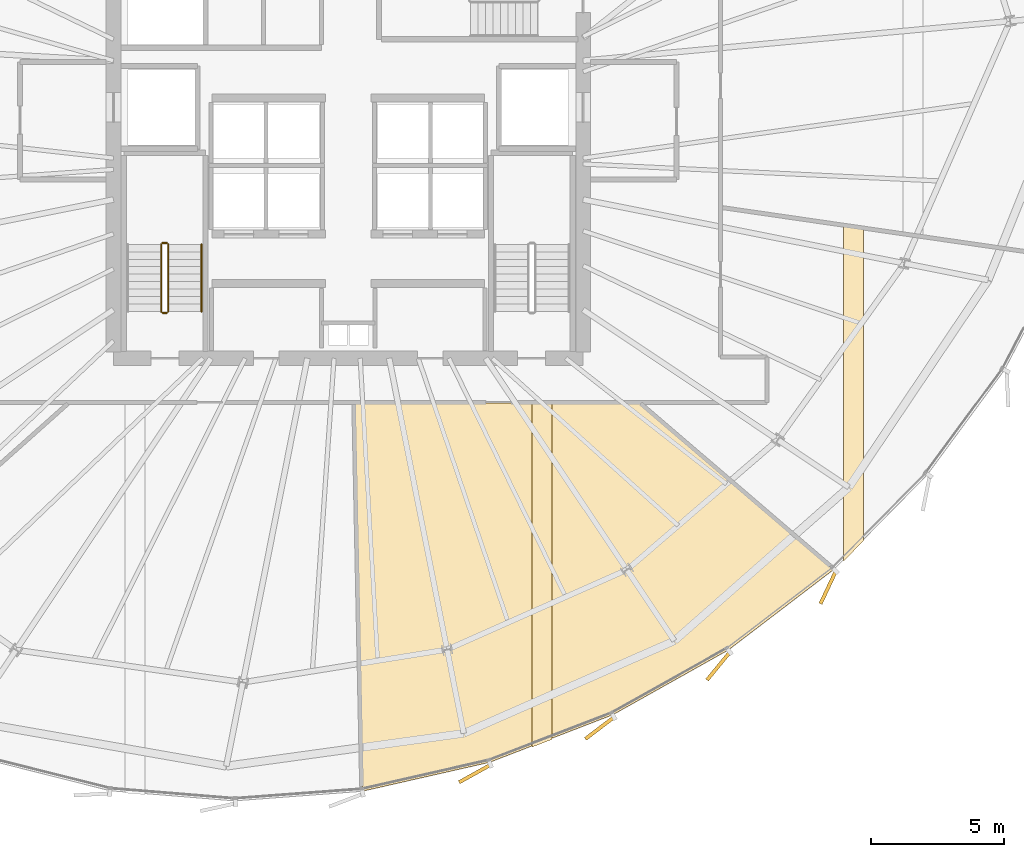
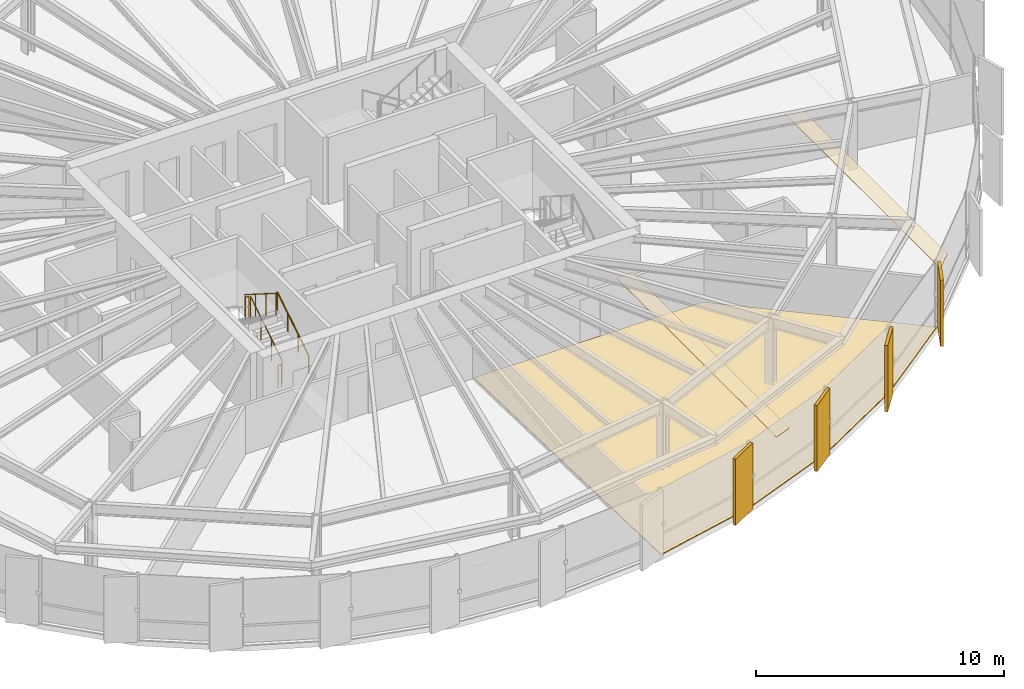
# One storey, part 33 of 35: 7 coverings, 5 railings.
"""IFC4 building model written with IfcOpenShell, lengths in metres."""

from ifc_helpers import new_model, si_unit, direction, frame, origin, origin_2d, place, context, subcontext, project, spatial, polyline, rectangle, circle, outline, extrude, source, transform, mapped, material, layer, layer_set, type_object, element, save


model = new_model("IFC4")

# Units and contexts
model_context = context("Model", 3, precision=1e-05, world=origin(), true_north=direction((0.0, 1.0)))
body_context = subcontext(model_context, "Body", "Model", "MODEL_VIEW")
ifc_project = project(units=[si_unit("LENGTHUNIT", "METRE"), si_unit("AREAUNIT", "SQUARE_METRE"), si_unit("VOLUMEUNIT", "CUBIC_METRE"), si_unit("PLANEANGLEUNIT", "RADIAN"), si_unit("MASSUNIT", "GRAM", prefix="KILO"), si_unit("THERMODYNAMICTEMPERATUREUNIT", "KELVIN")], contexts=[model_context])

# Site, building, storey
site_placement = place(None, origin())
site = spatial("IfcSite", under=ifc_project, at=site_placement, CompositionType="ELEMENT")
building_placement = place(site_placement, origin())
building = spatial("IfcBuilding", under=site, at=building_placement, Name="Kethvar Cultural Tower", CompositionType="ELEMENT")
storey_placement = place(building_placement, frame((0.0, 0.0, 135.89990234375)))
storey = spatial("IfcBuildingStorey", under=building, at=storey_placement, Name="L34", CompositionType="ELEMENT", Elevation=135.89990234375)

# Coverings
ifc_material_1 = material(Name="Acoustic Mineral Fibre Ceiling")
ifc_layer_1 = layer(ifc_material_1, 0.0400390625, Name="Acoustic Mineral Fibre Ceiling")
ifc_layer_set_1 = layer_set([ifc_layer_1], Name="Acoustic Mineral Fibre Ceiling (40 mm)")
covering_type_1 = type_object("IfcCoveringType", Name="CV-ACOUSTIC-CEIL", PredefinedType="CEILING", material=ifc_layer_set_1)
covering_1_placement = place(storey_placement, frame((0.0, 0.0, 2.56005859375)))
element("IfcCovering", 1, at=covering_1_placement, inside=storey, type_object=covering_type_1, Name="L34 Room 02 Acoustic Ceiling Panel", PredefinedType="CEILING", context=body_context, shape_type="SweptSolid", body=[
    extrude(outline(polyline([(53.691162109375, 5.53076171875), (53.691162109375, 18.469970703125), (54.441162109375, 18.469970703125), (54.441162109375, 5.820068359375), (53.691162109375, 5.53076171875)])), origin(), (0.0, 0.0, 1.0), 0.0400390625),
])
covering_2_placement = place(storey_placement, frame((0.0, 0.0, 2.56005859375)))
element("IfcCovering", 2, at=covering_2_placement, inside=storey, type_object=covering_type_1, Name="L34 Room 03 Acoustic Ceiling Panel", PredefinedType="CEILING", context=body_context, shape_type="SweptSolid", body=[
    extrude(outline(polyline([(65.355224609375, 12.49365234375), (65.355224609375, 25.1005859375), (66.105224609375, 24.99072265625), (66.105224609375, 13.25439453125), (65.355224609375, 12.49365234375)])), origin(), (0.0, 0.0, 1.0), 0.0400390625),
])
ifc_material_2 = material(Name="Honed Warm Limestone", Category="masonry")
ifc_layer_2 = layer(ifc_material_2, 0.030029296875, Name="Honed Warm Limestone", Category="masonry")
ifc_layer_set_2 = layer_set([ifc_layer_2], Name="Honed Warm Limestone (30 mm)")
covering_type_2 = type_object("IfcCoveringType", Name="CV-STONE-FLOOR", PredefinedType="FLOORING", material=ifc_layer_set_2)
covering_3_placement = place(storey_placement, origin())
element("IfcCovering", 3, at=covering_3_placement, inside=storey, type_object=covering_type_2, Name="L34 Room 02 Floor Finish", PredefinedType="FLOORING", context=body_context, shape_type="SweptSolid", body=[
    extrude(outline(polyline([(61.041015625, 9.167236328125), (56.710693359375, 6.738525390625), (52.09765625, 4.958740234375), (47.345947265625, 3.878173828125), (47.02587890625, 18.429931640625), (57.693603515625, 18.429931640625), (64.98291015625, 12.177734375), (61.041015625, 9.167236328125)])), origin(), (0.0, 0.0, 1.0), 0.030029296875),
])

# Railings
ifc_material_3 = material(Name="Steel S355J2", Category="steel")
railing_type_1 = type_object("IfcRailingType", Name="RL-STAIR-GUARD", PredefinedType="BALUSTRADE", material=ifc_material_3)
railing_1_placement = place(storey_placement, frame((40.050048828125, 21.85009765625, 0.177490234375)))
element("IfcRailing", 4, at=railing_1_placement, inside=storey, type_object=railing_type_1, Name="L34 ST-01 stair guard 1", PredefinedType="BALUSTRADE", context=body_context, shape_type="SweptSolid", body=[
    extrude(circle(Radius=0.02392578125, at=origin_2d()), frame((0.0, 0.0, 1.09619140625), z_axis=(0.0, 0.84456994832, 0.535445237532), x_axis=(-1.0, 0.0, 0.0)), (0.0, 0.0, 1.0), 2.98388671875),
    extrude(circle(Radius=0.02099609375, at=origin_2d()), origin(), (0.0, 0.0, 1.0), 1.072021484375),
    extrude(circle(Radius=0.02099609375, at=origin_2d()), frame((0.0, 0.840087890625, 0.532470703125)), (0.0, 0.0, 1.0), 1.072021484375),
    extrude(circle(Radius=0.02099609375, at=origin_2d()), frame((0.0, 1.679931640625, 1.065185546875)), (0.0, 0.0, 1.0), 1.072021484375),
    extrude(circle(Radius=0.02099609375, at=origin_2d()), frame((0.0, 2.52001953125, 1.59765625)), (0.0, 0.0, 1.0), 1.072021484375),
])
railing_2_placement = place(storey_placement, frame((40.0, 24.419921875, 1.775146484375)))
element("IfcRailing", 5, at=railing_2_placement, inside=storey, type_object=railing_type_1, Name="L34 ST-01 stair guard 2", PredefinedType="BALUSTRADE", context=body_context, shape_type="SweptSolid", body=[
    extrude(circle(Radius=0.02392578125, at=origin_2d()), frame((0.0, 0.0, 1.09619140625), z_axis=(-1.0, 0.0, 0.0), x_axis=(0.0, -1.0, 0.0)), (0.0, 0.0, 1.0), 0.159912109375),
    extrude(circle(Radius=0.02099609375, at=origin_2d()), origin(), (0.0, 0.0, 1.0), 1.072021484375),
    extrude(circle(Radius=0.02099609375, at=origin_2d()), frame((-0.159912109375, 0.0, 0.0)), (0.0, 0.0, 1.0), 1.072021484375),
])
railing_3_placement = place(storey_placement, frame((39.7900390625, 24.3701171875, 1.95263671875)))
element("IfcRailing", 6, at=railing_3_placement, inside=storey, type_object=railing_type_1, Name="L34 ST-01 stair guard 3", PredefinedType="BALUSTRADE", context=body_context, shape_type="SweptSolid", body=[
    extrude(circle(Radius=0.02392578125, at=origin_2d()), frame((0.0, 0.0, 1.09619140625), z_axis=(0.0, -0.84460694969, 0.535386869969), x_axis=(1.0, 0.0, 0.0)), (0.0, 0.0, 1.0), 2.983642578125),
    extrude(circle(Radius=0.02099609375, at=origin_2d()), origin(), (0.0, 0.0, 1.0), 1.072021484375),
    extrude(circle(Radius=0.02099609375, at=origin_2d()), frame((0.0, -0.840087890625, 0.532470703125)), (0.0, 0.0, 1.0), 1.072021484375),
    extrude(circle(Radius=0.02099609375, at=origin_2d()), frame((0.0, -1.679931640625, 1.06494140625)), (0.0, 0.0, 1.0), 1.072021484375),
    extrude(circle(Radius=0.02099609375, at=origin_2d()), frame((0.0, -2.52001953125, 1.597412109375)), (0.0, 0.0, 1.0), 1.072021484375),
])
railing_4_placement = place(storey_placement, frame((40.0, 21.800048828125, 0.0)))
element("IfcRailing", 7, at=railing_4_placement, inside=storey, type_object=railing_type_1, Name="L34 ST-01 stair guard 4", PredefinedType="BALUSTRADE", context=body_context, shape_type="SweptSolid", body=[
    extrude(circle(Radius=0.02392578125, at=origin_2d()), frame((0.0, 0.0, 1.09619140625), z_axis=(-1.0, 0.0, 0.0), x_axis=(0.0, -1.0, 0.0)), (0.0, 0.0, 1.0), 0.159912109375),
    extrude(circle(Radius=0.02099609375, at=origin_2d()), origin(), (0.0, 0.0, 1.0), 1.072021484375),
    extrude(circle(Radius=0.02099609375, at=origin_2d()), frame((-0.159912109375, 0.0, 0.0)), (0.0, 0.0, 1.0), 1.072021484375),
])
railing_type_2 = type_object("IfcRailingType", Name="RL-STAIR-HANDRAIL", PredefinedType="HANDRAIL", material=ifc_material_3)
railing_5_placement = place(storey_placement, frame((41.300048828125, 21.85009765625, 0.177490234375)))
element("IfcRailing", 8, at=railing_5_placement, inside=storey, type_object=railing_type_2, Name="L34 ST-01 stair handrail 1", PredefinedType="HANDRAIL", context=body_context, shape_type="SweptSolid", body=[
    extrude(circle(Radius=0.02392578125, at=origin_2d()), frame((0.0, 0.0, 0.8759765625), z_axis=(0.0, 0.84456994832, 0.535445237532), x_axis=(-1.0, 0.0, 0.0)), (0.0, 0.0, 1.0), 2.98388671875),
    extrude(circle(Radius=0.02099609375, at=origin_2d()), origin(), (0.0, 0.0, 1.0), 0.851806640625),
    extrude(circle(Radius=0.02099609375, at=origin_2d()), frame((0.0, 0.840087890625, 0.532470703125)), (0.0, 0.0, 1.0), 0.851806640625),
    extrude(circle(Radius=0.02099609375, at=origin_2d()), frame((0.0, 1.679931640625, 1.065185546875)), (0.0, 0.0, 1.0), 0.851806640625),
    extrude(circle(Radius=0.02099609375, at=origin_2d()), frame((0.0, 2.52001953125, 1.59765625)), (0.0, 0.0, 1.0), 0.851806640625),
])

# Coverings
ifc_material_4 = material(Name="Extruded Architectural Terracotta", Category="masonry")
ifc_layer_3 = layer(ifc_material_4, 0.135009765625, Name="Extruded Architectural Terracotta", Category="masonry")
ifc_layer_set_3 = layer_set([ifc_layer_3], Name="Extruded Architectural Terracotta (135 mm)")
covering_type_3 = type_object("IfcCoveringType", Name="Terracotta Facade Fin FIN-02", PredefinedType="CLADDING", material=ifc_layer_set_3)
shared_shape = source(origin(), body_context, "Body", "SweptSolid", [
    extrude(rectangle(XDim=1.35009765625, YDim=0.135009765625, at=origin_2d()), origin(), (0.0, 0.0, 1.0), 3.260009765625),
])
for number, where, z_axis, x_axis, name in (
    (9, (51.54248046875, 4.53662109375, 0.02001953125), (0.0, 0.0, 1.0), (-0.873772223035, -0.486335380423, 0.0), "L34 Vertical Terracotta Fin 5.3"),
    (10, (56.221435546875, 6.24169921875, 0.02001953125), (0.0, 0.0, 1.0), (-0.795579233667, -0.605849554723, 0.0), "L34 Vertical Terracotta Fin 5.4"),
    (11, (60.672607421875, 8.564697265625, 0.02001953125), (0.0, 0.0, 1.0), (-0.633920960614, -0.773397837916, 0.0), "L34 Vertical Terracotta Fin 5.5"),
    (12, (64.783935546875, 11.510009765625, 0.02001953125), (0.0, 0.0, 1.0), (-0.426410876203, -0.904529581968, 0.0), "L34 Vertical Terracotta Fin 5.6"),
):
    element("IfcCovering", number, at=place(storey_placement, frame(where, z_axis=z_axis, x_axis=x_axis)), inside=storey, type_object=covering_type_3, Name=name, PredefinedType="CLADDING", context=body_context, shape_type="MappedRepresentation", body=[
        mapped(shared_shape, transform((0.0, 0.0, 0.0), scale=1.0)),
    ])

save(model, "model.ifc")
